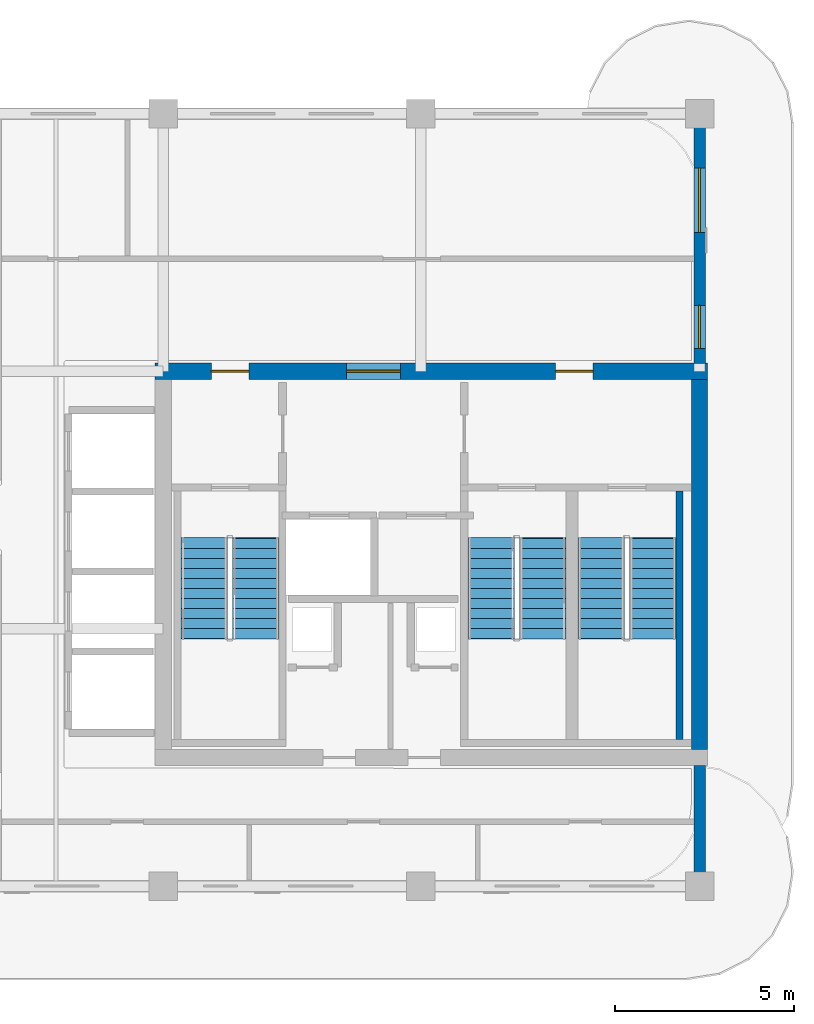
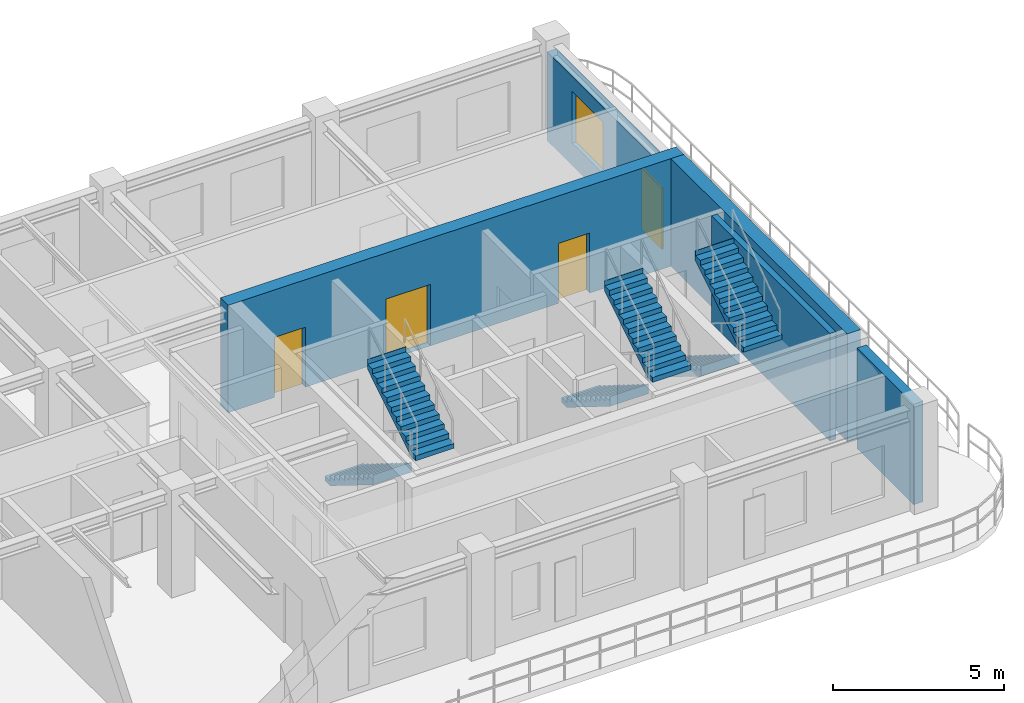
# One storey, part 5 of 7: 6 stair flights, 5 walls, 4 doors, 1 window, 5 openings, 3 elements without a shape of their own.
"""IFC4 building model written with IfcOpenShell, lengths in metres."""

from ifc_helpers import new_model, si_unit, derived_unit, direction, frame, frame_2d, origin, place, context, subcontext, project, spatial, polyline, rectangle, outline, extrude, source, transform, mapped, material, layer, layer_set, type_object, type_shapes, element, fill, aggregate, save


model = new_model("IFC4")

# Units and contexts
model_context = context("Model", 3, precision=1e-05, world=origin(), true_north=direction((0.0, 1.0)))
body_context = subcontext(model_context, "Body", "Model", "MODEL_VIEW")
ifc_project = project(units=[si_unit("LENGTHUNIT", "METRE"), si_unit("AREAUNIT", "SQUARE_METRE"), si_unit("VOLUMEUNIT", "CUBIC_METRE"), si_unit("PLANEANGLEUNIT", "RADIAN"), si_unit("MASSUNIT", "GRAM", prefix="KILO"), si_unit("THERMODYNAMICTEMPERATUREUNIT", "KELVIN"), si_unit("POWERUNIT", "WATT"), derived_unit("THERMALTRANSMITTANCEUNIT", [(si_unit("POWERUNIT", "WATT"), 1), (si_unit("AREAUNIT", "SQUARE_METRE"), -1), (si_unit("THERMODYNAMICTEMPERATUREUNIT", "KELVIN"), -1)])], contexts=[model_context])

# Site, building, storey
site_placement = place(None, origin())
site = spatial("IfcSite", under=ifc_project, at=site_placement, CompositionType="ELEMENT")
building_placement = place(site_placement, origin())
building = spatial("IfcBuilding", under=site, at=building_placement, Name="Zahravan Archway Hotel and Residences", CompositionType="ELEMENT")
storey_placement = place(building_placement, frame((0.0, 0.0, 271.199951171875)))
storey = spatial("IfcBuildingStorey", under=building, at=storey_placement, Name="L68", CompositionType="ELEMENT", Elevation=271.199951171875)

# Wall, openings, doors
ifc_material_1 = material(Name="Concrete C50/60", Category="concrete")
ifc_layer_1 = layer(ifc_material_1, 0.449951171875, Name="Concrete C50/60", Category="concrete")
ifc_layer_set_1 = layer_set([ifc_layer_1], Name="Concrete C50/60")
wall_type_1 = type_object("IfcWallType", Name="CW-CORE-450", PredefinedType="SHEAR", material=ifc_layer_set_1)
wall_1_placement = place(storey_placement, frame((34.574951171875, 14.39990234375, 0.0), z_axis=(0.0, 0.0, 1.0), x_axis=(1.0, 0.0, 0.0)))
wall_1 = element("IfcWall", 1, at=wall_1_placement, inside=storey, type_object=wall_type_1, Name="L68 Core A Shear N Wall 450 mm", PredefinedType="SHEAR", context=body_context, shape_type="SweptSolid", body=[
    extrude(rectangle(XDim=15.449951171875, YDim=0.449951171875, at=frame_2d((7.72509765625, 0.0))), origin(), (0.0, 0.0, 1.0), 3.85009765625),
])
opening_1_placement = place(wall_1_placement, frame((5.35498046875, 0.0, 0.0)))
opening_1 = element("IfcOpeningElement", 2, at=opening_1_placement, cuts=wall_1, Name="Opening FD-L1", PredefinedType="OPENING", context=body_context, shape_type="SweptSolid", body=[
    extrude(rectangle(XDim=1.5, YDim=2.199951171875, at=frame_2d((0.75, 1.10009765625))), frame((0.0, 0.23486328125, 0.0), z_axis=(0.0, -1.0, 0.0), x_axis=(1.0, 0.0, 0.0)), (0.0, 0.0, 1.0), 0.469970703125),
])
opening_2_placement = place(wall_1_placement, frame((1.570068359375, 0.0, 0.0)))
opening_2 = element("IfcOpeningElement", 3, at=opening_2_placement, cuts=wall_1, Name="Opening FD-L2", PredefinedType="OPENING", context=body_context, shape_type="SweptSolid", body=[
    extrude(rectangle(XDim=1.050048828125, YDim=2.14990234375, at=frame_2d((0.52490234375, 1.074951171875))), frame((0.0, 0.23486328125, 0.0), z_axis=(0.0, -1.0, 0.0), x_axis=(1.0, 0.0, 0.0)), (0.0, 0.0, 1.0), 0.469970703125),
])
opening_3_placement = place(wall_1_placement, frame((11.199951171875, 0.0, 0.0)))
opening_3 = element("IfcOpeningElement", 4, at=opening_3_placement, cuts=wall_1, Name="Opening FD-L2", PredefinedType="OPENING", context=body_context, shape_type="SweptSolid", body=[
    extrude(rectangle(XDim=1.050048828125, YDim=2.14990234375, at=frame_2d((0.52490234375, 1.074951171875))), frame((0.0, 0.23486328125, 0.0), z_axis=(0.0, -1.0, 0.0), x_axis=(1.0, 0.0, 0.0)), (0.0, 0.0, 1.0), 0.469970703125),
])
ifc_material_2 = material(Name="Fire-Rated Painted Steel", Category="steel")
door_type_1 = type_object("IfcDoorType", Name="FD-LOBBY-1100", OperationType="NOTDEFINED", PredefinedType="DOOR", material=ifc_material_2)
shared_shape_1 = source(origin(), body_context, "Body", "SweptSolid", [
    extrude(rectangle(XDim=1.050048828125, YDim=2.14990234375, at=frame_2d((0.52490234375, 1.074951171875))), frame((0.0, 0.02490234375, 0.0), z_axis=(0.0, -1.0, 0.0), x_axis=(1.0, 0.0, 0.0)), (0.0, 0.0, 1.0), 0.050048828125),
])
type_shapes(door_type_1, [shared_shape_1])
door_1_placement = place(opening_2_placement, origin())
door_1 = element("IfcDoor", 5, at=door_1_placement, inside=storey, type_object=door_type_1, Name="L68 Core A West Stair Lobby Door", OperationType="SINGLE_SWING_LEFT", OverallHeight=2.14990234375, OverallWidth=1.050048828125, PredefinedType="DOOR", context=body_context, shape_type="MappedRepresentation", body=[
    mapped(shared_shape_1, transform((0.0, 0.0, 0.0), scale=1.0)),
])
fill(opening_2, door_1)
door_2_placement = place(opening_3_placement, origin())
door_2 = element("IfcDoor", 6, at=door_2_placement, inside=storey, type_object=door_type_1, Name="L68 Core A East Stair Lobby Door", OperationType="SINGLE_SWING_RIGHT", OverallHeight=2.14990234375, OverallWidth=1.050048828125, PredefinedType="DOOR", context=body_context, shape_type="MappedRepresentation", body=[
    mapped(shared_shape_1, transform((0.0, 0.0, 0.0), scale=1.0)),
])
fill(opening_3, door_2)
door_type_2 = type_object("IfcDoorType", Name="FD-LOBBY-1500", OperationType="DOUBLE_DOOR_SINGLE_SWING", PredefinedType="DOOR", material=ifc_material_2)
shared_shape_2 = source(origin(), body_context, "Body", "SweptSolid", [
    extrude(rectangle(XDim=1.5, YDim=2.199951171875, at=frame_2d((0.75, 1.10009765625))), frame((0.0, 0.02490234375, 0.0), z_axis=(0.0, -1.0, 0.0), x_axis=(1.0, 0.0, 0.0)), (0.0, 0.0, 1.0), 0.050048828125),
])
type_shapes(door_type_2, [shared_shape_2])
door_3_placement = place(opening_1_placement, origin())
door_3 = element("IfcDoor", 7, at=door_3_placement, inside=storey, type_object=door_type_2, Name="L68 Core A FSAE Lobby Main Door", OperationType="DOUBLE_DOOR_SINGLE_SWING", OverallHeight=2.199951171875, OverallWidth=1.5, PredefinedType="DOOR", context=body_context, shape_type="MappedRepresentation", body=[
    mapped(shared_shape_2, transform((0.0, 0.0, 0.0), scale=1.0)),
])
fill(opening_1, door_3)

# Walls
wall_2_placement = place(storey_placement, frame((49.800048828125, 3.824951171875, 0.0), z_axis=(0.0, 0.0, 1.0), x_axis=(0.0, 1.0, 0.0)))
element("IfcWall", 8, at=wall_2_placement, inside=storey, type_object=wall_type_1, Name="L68 Core A Shear E Wall 450 mm", PredefinedType="SHEAR", context=body_context, shape_type="SweptSolid", body=[
    extrude(rectangle(XDim=10.35009765625, YDim=0.449951171875, at=frame_2d((5.175048828125, 0.0))), origin(), (0.0, 0.0, 1.0), 3.85009765625),
])
ifc_material_3 = material(Name="Agra Buff Sandstone & Insulated Backup", Category="masonry")
ifc_layer_2 = layer(ifc_material_3, 0.320068359375, Name="Agra Buff Sandstone & Insulated Backup", Category="masonry")
ifc_layer_set_2 = layer_set([ifc_layer_2], Name="Agra Buff Sandstone & Insulated Backup")
wall_type_2 = type_object("IfcWallType", Name="EW-SAND-320", PredefinedType="SOLIDWALL", material=ifc_layer_set_2)
wall_3_placement = place(storey_placement, frame((49.800048828125, 0.050048828125, 0.0), z_axis=(0.0, 0.0, 1.0), x_axis=(0.0, 1.0, 0.0)))
element("IfcWall", 9, at=wall_3_placement, inside=storey, type_object=wall_type_2, Name="L68 Exterior Sandstone Wall WA-ES", PredefinedType="SOLIDWALL", context=body_context, shape_type="SweptSolid", body=[
    extrude(rectangle(XDim=3.329833984375, YDim=0.320068359375, at=frame_2d((1.6650390625, 0.0))), origin(), (0.0, 0.0, 1.0), 3.60009765625),
])

# Wall, openings, door, window
wall_4_placement = place(storey_placement, frame((49.800048828125, 14.6201171875, 0.0), z_axis=(0.0, 0.0, 1.0), x_axis=(0.0, 1.0, 0.0)))
wall_4 = element("IfcWall", 10, at=wall_4_placement, inside=storey, type_object=wall_type_2, Name="L68 Exterior Sandstone Wall WA-EN", PredefinedType="SOLIDWALL", context=body_context, shape_type="SweptSolid", body=[
    extrude(rectangle(XDim=6.929931640625, YDim=0.320068359375, at=frame_2d((3.46484375, 0.0))), origin(), (0.0, 0.0, 1.0), 3.18505859375),
])
opening_4_placement = place(wall_4_placement, frame((0.419921875, 0.0, 0.0)))
opening_4 = element("IfcOpeningElement", 11, at=opening_4_placement, cuts=wall_4, Name="Opening ED-BL1", PredefinedType="OPENING", context=body_context, shape_type="SweptSolid", body=[
    extrude(rectangle(XDim=1.199951171875, YDim=2.199951171875, at=frame_2d((0.60009765625, 1.10009765625))), frame((0.0, 0.169921875, 0.0), z_axis=(0.0, -1.0, 0.0), x_axis=(1.0, 0.0, 0.0)), (0.0, 0.0, 1.0), 0.340087890625),
])
opening_5_placement = place(wall_4_placement, frame((3.658935546875, 0.0, 0.800048828125)))
opening_5 = element("IfcOpeningElement", 12, at=opening_5_placement, cuts=wall_4, Name="Opening W-02", PredefinedType="OPENING", context=body_context, shape_type="SweptSolid", body=[
    extrude(rectangle(XDim=1.800048828125, YDim=1.85009765625, at=frame_2d((0.89990234375, 0.925048828125))), frame((0.0, 0.169921875, 0.0), z_axis=(0.0, -1.0, 0.0), x_axis=(1.0, 0.0, 0.0)), (0.0, 0.0, 1.0), 0.340087890625),
])
ifc_material_4 = material(Name="Bronze-Anodized Glazed Aluminium", Category="aluminium")
door_type_3 = type_object("IfcDoorType", Name="ED-BALC-1200", OperationType="SLIDING_TO_LEFT", PredefinedType="DOOR", material=ifc_material_4)
shared_shape_3 = source(origin(), body_context, "Body", "SweptSolid", [
    extrude(rectangle(XDim=1.199951171875, YDim=2.199951171875, at=frame_2d((0.60009765625, 1.10009765625))), frame((0.0, 0.02490234375, 0.0), z_axis=(0.0, -1.0, 0.0), x_axis=(1.0, 0.0, 0.0)), (0.0, 0.0, 1.0), 0.050048828125),
])
type_shapes(door_type_3, [shared_shape_3])
door_4_placement = place(opening_4_placement, origin())
door_4 = element("IfcDoor", 13, at=door_4_placement, inside=storey, type_object=door_type_3, Name="L68 Outdoor Access Sliding Door (SLB-BAL-L68-EA)", OperationType="SLIDING_TO_LEFT", OverallHeight=2.199951171875, OverallWidth=1.199951171875, PredefinedType="DOOR", context=body_context, shape_type="MappedRepresentation", body=[
    mapped(shared_shape_3, transform((0.0, 0.0, 0.0), scale=1.0)),
])
fill(opening_4, door_4)
ifc_material_5 = material(Name="Bronze-Anodized Thermal-Break Aluminium & Low-E Glass", Category="aluminium")
window_type = type_object("IfcWindowType", Name="WIN-TWR-1800", PartitioningType="DOUBLE_PANEL_VERTICAL", PredefinedType="WINDOW", material=ifc_material_5)
shared_shape_4 = source(origin(), body_context, "Body", "SweptSolid", [
    extrude(rectangle(XDim=1.800048828125, YDim=1.85009765625, at=frame_2d((0.89990234375, 0.925048828125))), frame((0.0, 0.030029296875, 0.0), z_axis=(0.0, -1.0, 0.0), x_axis=(1.0, 0.0, 0.0)), (0.0, 0.0, 1.0), 0.06005859375),
])
type_shapes(window_type, [shared_shape_4])
window_placement = place(opening_5_placement, origin())
window = element("IfcWindow", 14, at=window_placement, inside=storey, type_object=window_type, Name="L68 Loggia Window 08", OverallHeight=1.85009765625, OverallWidth=1.800048828125, PartitioningType="DOUBLE_PANEL_VERTICAL", PredefinedType="WINDOW", context=body_context, shape_type="MappedRepresentation", body=[
    mapped(shared_shape_4, transform((0.0, 0.0, 0.0), scale=1.0)),
])
fill(opening_5, window)

# Wall
ifc_layer_3 = layer(ifc_material_1, 0.199951171875, Name="Concrete C50/60", Category="concrete")
ifc_layer_set_3 = layer_set([ifc_layer_3], Name="Concrete C50/60")
wall_type_3 = type_object("IfcWallType", Name="SW-STAIR-200", PredefinedType="SHEAR", material=ifc_layer_set_3)
wall_5_placement = place(storey_placement, frame((49.239990234375, 4.10009765625, 0.0), z_axis=(0.0, 0.0, 1.0), x_axis=(0.0, 1.0, 0.0)))
element("IfcWall", 15, at=wall_5_placement, inside=storey, type_object=wall_type_3, Name="L68 Stairwell RC Wall CA-SA3E", PredefinedType="SHEAR", context=body_context, shape_type="SweptSolid", body=[
    extrude(rectangle(XDim=6.949951171875, YDim=0.199951171875, at=frame_2d((3.47509765625, 0.0))), origin(), (0.0, 0.0, 1.0), 3.85009765625),
])

# Stair, stair flights
stair_type = type_object("IfcStairType", Name="STR-CORE-1300", PredefinedType="HALF_TURN_STAIR", material=ifc_material_1)
stair_1_placement = place(storey_placement, origin())
stair_1 = element("IfcStair", 16, at=stair_1_placement, inside=storey, type_object=stair_type, Name="L68 Core A Exit Stair 1", PredefinedType="HALF_TURN_STAIR")
ifc_layer_4 = layer(ifc_material_1, 0.199951171875, Name="Concrete C50/60", Category="concrete")
ifc_layer_set_4 = layer_set([ifc_layer_4], Name="Concrete C50/60")
stair_flight_type = type_object("IfcStairFlightType", Name="SFL-CORE-1300", PredefinedType="STRAIGHT", material=ifc_layer_set_4)
shared_shape_5 = source(origin(), body_context, "Body", "SweptSolid", [
    extrude(outline(polyline([(-0.01611328125, 0.0), (-0.01611328125, 0.175048828125), (0.280029296875, 0.175048828125), (0.280029296875, 0.35009765625), (0.56005859375, 0.35009765625), (0.56005859375, 0.52490234375), (0.840087890625, 0.52490234375), (0.840087890625, 0.699951171875), (1.1201171875, 0.699951171875), (1.1201171875, 0.875), (1.39990234375, 0.875), (1.39990234375, 1.050048828125), (1.679931640625, 1.050048828125), (1.679931640625, 1.22509765625), (1.9599609375, 1.22509765625), (1.9599609375, 1.39990234375), (2.239990234375, 1.39990234375), (2.239990234375, 1.574951171875), (2.52001953125, 1.574951171875), (2.52001953125, 1.75), (2.800048828125, 1.75), (2.800048828125, 1.925048828125), (2.816162109375, 1.925048828125), (2.816162109375, 1.5732421875), (0.28271484375, 0.0), (-0.01611328125, 0.0)])), frame((0.0, 0.64990234375, 0.0), z_axis=(0.0, -1.0, 0.0), x_axis=(1.0, 0.0, 0.0)), (0.0, 0.0, 1.0), 1.300048828125),
])
stair_flight_1_placement = place(storey_placement, frame((35.949951171875, 9.72998046875, 0.0), z_axis=(0.0, 0.0, 1.0), x_axis=(0.0, -1.0, 0.0)))
stair_flight_1 = element("IfcStairFlight", 17, at=stair_flight_1_placement, type_object=stair_flight_type, Name="ST-A1 flight 1", NumberOfRisers=11, NumberOfTreads=10, PredefinedType="STRAIGHT", RiserHeight=0.175, TreadLength=0.28, context=body_context, shape_type="MappedRepresentation", body=[
    mapped(shared_shape_5, transform((0.0, 0.0, 0.0), scale=1.0)),
])
stair_flight_2_placement = place(storey_placement, frame((37.389892578125, 6.929931640625, 1.925048828125), z_axis=(0.0, 0.0, 1.0), x_axis=(0.0, 1.0, 0.0)))
stair_flight_2 = element("IfcStairFlight", 18, at=stair_flight_2_placement, type_object=stair_flight_type, Name="ST-A1 flight 2", NumberOfRisers=11, NumberOfTreads=10, PredefinedType="STRAIGHT", RiserHeight=0.175, TreadLength=0.28, context=body_context, shape_type="MappedRepresentation", body=[
    mapped(shared_shape_5, transform((0.0, 0.0, 0.0), scale=1.0)),
])
aggregate(stair_1, [stair_flight_1, stair_flight_2])

stair_2_placement = place(storey_placement, origin())
stair_2 = element("IfcStair", 19, at=stair_2_placement, inside=storey, type_object=stair_type, Name="L68 Core A Exit Stair 2", PredefinedType="HALF_TURN_STAIR")
stair_flight_3_placement = place(storey_placement, frame((43.969970703125, 9.72998046875, 0.0), z_axis=(0.0, 0.0, 1.0), x_axis=(0.0, -1.0, 0.0)))
stair_flight_3 = element("IfcStairFlight", 20, at=stair_flight_3_placement, type_object=stair_flight_type, Name="ST-A2 flight 1", NumberOfRisers=11, NumberOfTreads=10, PredefinedType="STRAIGHT", RiserHeight=0.175, TreadLength=0.28, context=body_context, shape_type="MappedRepresentation", body=[
    mapped(shared_shape_5, transform((0.0, 0.0, 0.0), scale=1.0)),
])
stair_flight_4_placement = place(storey_placement, frame((45.409912109375, 6.929931640625, 1.925048828125), z_axis=(0.0, 0.0, 1.0), x_axis=(0.0, 1.0, 0.0)))
stair_flight_4 = element("IfcStairFlight", 21, at=stair_flight_4_placement, type_object=stair_flight_type, Name="ST-A2 flight 2", NumberOfRisers=11, NumberOfTreads=10, PredefinedType="STRAIGHT", RiserHeight=0.175, TreadLength=0.28, context=body_context, shape_type="MappedRepresentation", body=[
    mapped(shared_shape_5, transform((0.0, 0.0, 0.0), scale=1.0)),
])
aggregate(stair_2, [stair_flight_3, stair_flight_4])

stair_3_placement = place(storey_placement, origin())
stair_3 = element("IfcStair", 22, at=stair_3_placement, inside=storey, type_object=stair_type, Name="L68 Core A Exit Stair 3", PredefinedType="HALF_TURN_STAIR")
stair_flight_5_placement = place(storey_placement, frame((47.050048828125, 9.72998046875, 0.0), z_axis=(0.0, 0.0, 1.0), x_axis=(0.0, -1.0, 0.0)))
stair_flight_5 = element("IfcStairFlight", 23, at=stair_flight_5_placement, type_object=stair_flight_type, Name="ST-A3 flight 1", NumberOfRisers=11, NumberOfTreads=10, PredefinedType="STRAIGHT", RiserHeight=0.175, TreadLength=0.28, context=body_context, shape_type="MappedRepresentation", body=[
    mapped(shared_shape_5, transform((0.0, 0.0, 0.0), scale=1.0)),
])
stair_flight_6_placement = place(storey_placement, frame((48.489990234375, 6.929931640625, 1.925048828125), z_axis=(0.0, 0.0, 1.0), x_axis=(0.0, 1.0, 0.0)))
stair_flight_6 = element("IfcStairFlight", 24, at=stair_flight_6_placement, type_object=stair_flight_type, Name="ST-A3 flight 2", NumberOfRisers=11, NumberOfTreads=10, PredefinedType="STRAIGHT", RiserHeight=0.175, TreadLength=0.28, context=body_context, shape_type="MappedRepresentation", body=[
    mapped(shared_shape_5, transform((0.0, 0.0, 0.0), scale=1.0)),
])
aggregate(stair_3, [stair_flight_5, stair_flight_6])

save(model, "model.ifc")
